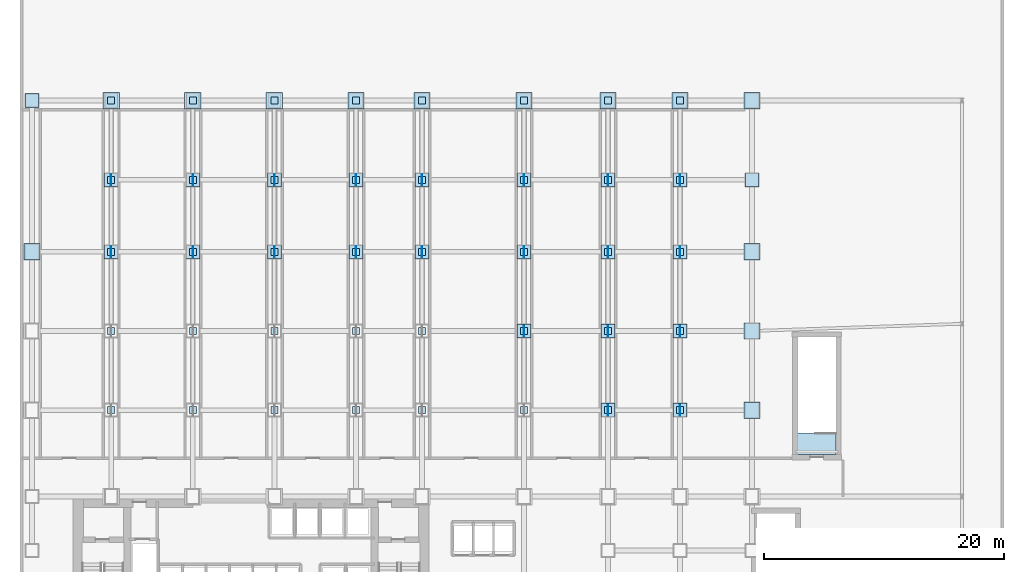
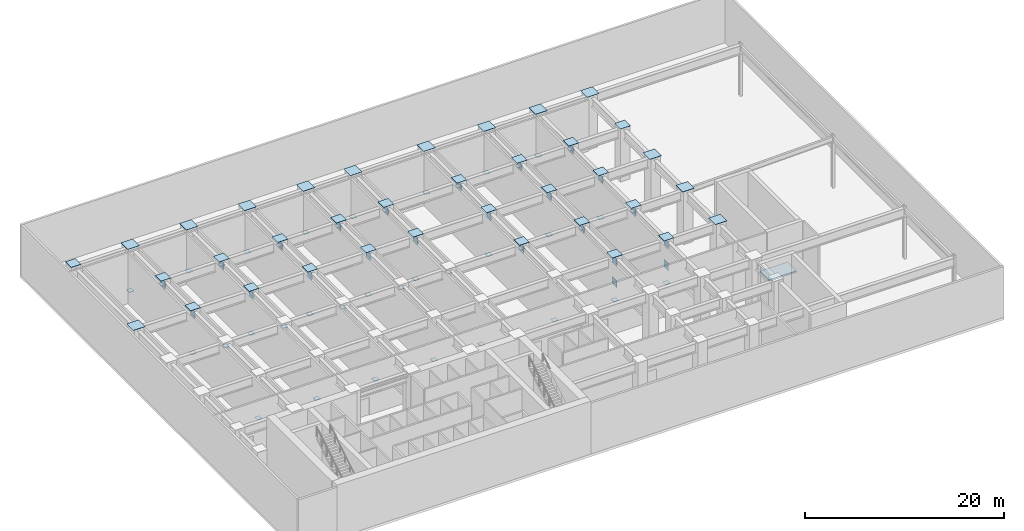
# One storey, part 8 of 15: 99 plates, 1 slab.
"""IFC4 building model written with IfcOpenShell, lengths in metres."""

from ifc_helpers import new_model, si_unit, derived_unit, direction, frame, origin, origin_2d, place, context, subcontext, project, spatial, polyline, rectangle, outline, extrude, source, transform, mapped, material, layer, layer_set, type_object, element, save


model = new_model("IFC4")

# Units and contexts
model_context = context("Model", 3, precision=1e-05, world=origin(), true_north=direction((0.0, 1.0)))
body_context = subcontext(model_context, "Body", "Model", "MODEL_VIEW")
ifc_project = project(units=[si_unit("LENGTHUNIT", "METRE"), si_unit("AREAUNIT", "SQUARE_METRE"), si_unit("VOLUMEUNIT", "CUBIC_METRE"), si_unit("PLANEANGLEUNIT", "RADIAN"), si_unit("MASSUNIT", "GRAM", prefix="KILO"), derived_unit("THERMALTRANSMITTANCEUNIT", [(si_unit("POWERUNIT", "WATT"), 1), (si_unit("LENGTHUNIT", "METRE"), -2), (si_unit("THERMODYNAMICTEMPERATUREUNIT", "KELVIN"), -1)])], contexts=[model_context])

# Site, building, storey
site_placement = place(None, origin())
site = spatial("IfcSite", under=ifc_project, at=site_placement, CompositionType="ELEMENT")
building_placement = place(site_placement, origin())
building = spatial("IfcBuilding", under=site, at=building_placement, Name="Skarnbrae Concourse Arena and Tower", CompositionType="ELEMENT")
storey_placement = place(building_placement, frame((0.0, 0.0, 26.0)))
storey = spatial("IfcBuildingStorey", under=building, at=storey_placement, Name="L05", CompositionType="ELEMENT", Elevation=26.0)

# Slab
ifc_material_1 = material(Name="Concrete 40 MPa (C40/50)", Category="concrete")
ifc_layer_1 = layer(ifc_material_1, 0.199951171875)
ifc_layer_set_1 = layer_set([ifc_layer_1], Name="Concrete 40 MPa (C40/50)")
slab_type = type_object("IfcSlabType", Name="SLAB-LANDING-200", PredefinedType="LANDING", material=ifc_layer_set_1)
slab_placement = place(storey_placement, frame((0.0, 0.0, -0.199951171875)))
element("IfcSlab", 1, at=slab_placement, inside=storey, type_object=slab_type, Name="L05 Stair ST-A2 near floor landing", PredefinedType="LANDING", context=body_context, shape_type="SweptSolid", body=[
    extrude(outline(polyline([(68.0, 17.5), (68.0, 19.300048828125), (64.800048828125, 19.300048828125), (64.800048828125, 17.5), (68.0, 17.5)])), origin(), (0.0, 0.0, 1.0), 0.199951171875),
])

# Plates
ifc_material_2 = material(Name="Steel CSA G40.21 350W", Category="steel")
ifc_layer_2 = layer(ifc_material_2, 0.031982421875)
ifc_layer_set_2 = layer_set([ifc_layer_2], Name="Steel CSA G40.21 350W")
plate_type_1 = type_object("IfcPlateType", Name="PLT-CAP-HOLLOW", PredefinedType="USERDEFINED", material=ifc_layer_set_2)
shared_shape_1 = source(origin(), body_context, "Body", "SweptSolid", [
    extrude(rectangle(XDim=0.580078125, YDim=0.580078125, at=origin_2d()), origin(), (0.0, 0.0, 1.0), 0.031982421875),
])
for number, where, z_axis, x_axis, name in (
    (2, (7.60009765625, 21.199951171875, 0.833984375), (0.0, 0.0, 1.0), (1.0, 0.0, 0.0), "L05 Transfer cap plate 1.2A"),
    (3, (7.60009765625, 27.800048828125, 5.6748046875), (0.0, 0.0, 1.0), (1.0, 0.0, 0.0), "L05 Transfer cap plate 1.2B"),
    (4, (7.60009765625, 34.39990234375, 0.833984375), (0.0, 0.0, 1.0), (1.0, 0.0, 0.0), "L05 Transfer cap plate 1.3B"),
    (5, (7.60009765625, 40.39990234375, 5.6748046875), (0.0, 0.0, 1.0), (1.0, 0.0, 0.0), "L05 Transfer cap plate 1.4B"),
    (6, (7.60009765625, 47.0, 0.833984375), (0.0, 0.0, 1.0), (1.0, 0.0, 0.0), "L05 Transfer cap plate 1.5B"),
    (7, (14.39990234375, 21.199951171875, 0.833984375), (0.0, 0.0, 1.0), (1.0, 0.0, 0.0), "L05 Transfer cap plate 2.2A"),
    (8, (14.39990234375, 27.800048828125, 5.6748046875), (0.0, 0.0, 1.0), (1.0, 0.0, 0.0), "L05 Transfer cap plate 2.2B"),
    (9, (14.39990234375, 34.39990234375, 0.833984375), (0.0, 0.0, 1.0), (1.0, 0.0, 0.0), "L05 Transfer cap plate 2.3B"),
    (10, (14.39990234375, 40.39990234375, 5.6748046875), (0.0, 0.0, 1.0), (1.0, 0.0, 0.0), "L05 Transfer cap plate 2.4B"),
    (11, (14.39990234375, 47.0, 0.833984375), (0.0, 0.0, 1.0), (1.0, 0.0, 0.0), "L05 Transfer cap plate 2.5B"),
    (12, (21.199951171875, 21.199951171875, 0.833984375), (0.0, 0.0, 1.0), (1.0, 0.0, 0.0), "L05 Transfer cap plate 3.2A"),
    (13, (21.199951171875, 27.800048828125, 5.6748046875), (0.0, 0.0, 1.0), (1.0, 0.0, 0.0), "L05 Transfer cap plate 3.2B"),
    (14, (21.199951171875, 34.39990234375, 0.833984375), (0.0, 0.0, 1.0), (1.0, 0.0, 0.0), "L05 Transfer cap plate 3.3B"),
    (15, (21.199951171875, 40.39990234375, 5.6748046875), (0.0, 0.0, 1.0), (1.0, 0.0, 0.0), "L05 Transfer cap plate 3.4B"),
    (16, (21.199951171875, 47.0, 0.833984375), (0.0, 0.0, 1.0), (1.0, 0.0, 0.0), "L05 Transfer cap plate 3.5B"),
    (17, (28.0, 21.199951171875, 0.833984375), (0.0, 0.0, 1.0), (1.0, 0.0, 0.0), "L05 Transfer cap plate 4.2A"),
    (18, (28.0, 27.800048828125, 5.6748046875), (0.0, 0.0, 1.0), (1.0, 0.0, 0.0), "L05 Transfer cap plate 4.2B"),
    (19, (28.0, 34.39990234375, 0.833984375), (0.0, 0.0, 1.0), (1.0, 0.0, 0.0), "L05 Transfer cap plate 4.3B"),
    (20, (28.0, 40.39990234375, 5.6748046875), (0.0, 0.0, 1.0), (1.0, 0.0, 0.0), "L05 Transfer cap plate 4.4B"),
    (21, (28.0, 47.0, 0.833984375), (0.0, 0.0, 1.0), (1.0, 0.0, 0.0), "L05 Transfer cap plate 4.5B"),
    (22, (33.5, 21.199951171875, 0.833984375), (0.0, 0.0, 1.0), (1.0, 0.0, 0.0), "L05 Transfer cap plate 5.2A"),
    (23, (33.5, 27.800048828125, 5.6748046875), (0.0, 0.0, 1.0), (1.0, 0.0, 0.0), "L05 Transfer cap plate 5.2B"),
    (24, (33.5, 34.39990234375, 0.833984375), (0.0, 0.0, 1.0), (1.0, 0.0, 0.0), "L05 Transfer cap plate 5.3B"),
    (25, (33.5, 40.39990234375, 5.6748046875), (0.0, 0.0, 1.0), (1.0, 0.0, 0.0), "L05 Transfer cap plate 5.4B"),
    (26, (33.5, 47.0, 0.833984375), (0.0, 0.0, 1.0), (1.0, 0.0, 0.0), "L05 Transfer cap plate 5.5B"),
    (27, (42.0, 21.199951171875, 0.833984375), (0.0, 0.0, 1.0), (1.0, 0.0, 0.0), "L05 Transfer cap plate 6.2A"),
    (28, (42.0, 27.800048828125, 5.6748046875), (0.0, 0.0, 1.0), (1.0, 0.0, 0.0), "L05 Transfer cap plate 6.2B"),
    (29, (42.0, 34.39990234375, 0.833984375), (0.0, 0.0, 1.0), (1.0, 0.0, 0.0), "L05 Transfer cap plate 6.3B"),
    (30, (42.0, 40.39990234375, 5.6748046875), (0.0, 0.0, 1.0), (1.0, 0.0, 0.0), "L05 Transfer cap plate 6.4B"),
    (31, (42.0, 47.0, 0.833984375), (0.0, 0.0, 1.0), (1.0, 0.0, 0.0), "L05 Transfer cap plate 6.5B"),
    (32, (49.0, 21.199951171875, 0.833984375), (0.0, 0.0, 1.0), (1.0, 0.0, 0.0), "L05 Transfer cap plate 7.2A"),
    (33, (49.0, 27.800048828125, 5.6748046875), (0.0, 0.0, 1.0), (1.0, 0.0, 0.0), "L05 Transfer cap plate 7.2B"),
    (34, (49.0, 34.39990234375, 0.833984375), (0.0, 0.0, 1.0), (1.0, 0.0, 0.0), "L05 Transfer cap plate 7.3B"),
    (35, (49.0, 40.39990234375, 5.6748046875), (0.0, 0.0, 1.0), (1.0, 0.0, 0.0), "L05 Transfer cap plate 7.4B"),
    (36, (49.0, 47.0, 0.833984375), (0.0, 0.0, 1.0), (1.0, 0.0, 0.0), "L05 Transfer cap plate 7.5B"),
    (37, (55.0, 21.199951171875, 0.833984375), (0.0, 0.0, 1.0), (1.0, 0.0, 0.0), "L05 Transfer cap plate 8.2A"),
    (38, (55.0, 27.800048828125, 5.6748046875), (0.0, 0.0, 1.0), (1.0, 0.0, 0.0), "L05 Transfer cap plate 8.2B"),
    (39, (55.0, 34.39990234375, 0.833984375), (0.0, 0.0, 1.0), (1.0, 0.0, 0.0), "L05 Transfer cap plate 8.3B"),
    (40, (55.0, 40.39990234375, 5.6748046875), (0.0, 0.0, 1.0), (1.0, 0.0, 0.0), "L05 Transfer cap plate 8.4B"),
    (41, (55.0, 47.0, 0.833984375), (0.0, 0.0, 1.0), (1.0, 0.0, 0.0), "L05 Transfer cap plate 8.5B"),
):
    element("IfcPlate", number, at=place(storey_placement, frame(where, z_axis=z_axis, x_axis=x_axis)), inside=storey, type_object=plate_type_1, Name=name, ObjectType="CAP PLATE", PredefinedType="USERDEFINED", context=body_context, shape_type="MappedRepresentation", body=[
        mapped(shared_shape_1, transform((0.0, 0.0, 0.0))),
    ])
ifc_layer_3 = layer(ifc_material_2, 0.044921875)
ifc_layer_set_3 = layer_set([ifc_layer_3], Name="Steel CSA G40.21 350W")
plate_type_2 = type_object("IfcPlateType", Name="PLT-NODE-XFER", PredefinedType="USERDEFINED", material=ifc_layer_set_3)
shared_shape_2 = source(origin(), body_context, "Body", "SweptSolid", [
    extrude(rectangle(XDim=0.89990234375, YDim=0.044921875, at=origin_2d()), origin(), (0.0, 0.0, 1.0), 0.89990234375),
])
for number, where, z_axis, x_axis, name in (
    (42, (7.60009765625, 34.39990234375, 5.240966796875), (0.0, 0.0, 1.0), (0.0, 1.0, 0.0), "L05 Transfer truss node plate ND-TR-01 T1.3"),
    (43, (7.60009765625, 40.39990234375, 5.240966796875), (0.0, 0.0, 1.0), (0.0, 1.0, 0.0), "L05 Transfer truss node plate ND-TR-01 T1.4"),
    (44, (14.39990234375, 34.39990234375, 5.240966796875), (0.0, 0.0, 1.0), (0.0, 1.0, 0.0), "L05 Transfer truss node plate ND-TR-01 T2.3"),
    (45, (14.39990234375, 40.39990234375, 5.240966796875), (0.0, 0.0, 1.0), (0.0, 1.0, 0.0), "L05 Transfer truss node plate ND-TR-01 T2.4"),
    (46, (21.199951171875, 34.39990234375, 5.240966796875), (0.0, 0.0, 1.0), (0.0, 1.0, 0.0), "L05 Transfer truss node plate ND-TR-01 T3.3"),
    (47, (21.199951171875, 40.39990234375, 5.240966796875), (0.0, 0.0, 1.0), (0.0, 1.0, 0.0), "L05 Transfer truss node plate ND-TR-01 T3.4"),
    (48, (28.0, 34.39990234375, 5.240966796875), (0.0, 0.0, 1.0), (0.0, 1.0, 0.0), "L05 Transfer truss node plate ND-TR-01 T4.3"),
    (49, (28.0, 40.39990234375, 5.240966796875), (0.0, 0.0, 1.0), (0.0, 1.0, 0.0), "L05 Transfer truss node plate ND-TR-01 T4.4"),
    (50, (33.5, 34.39990234375, 5.240966796875), (0.0, 0.0, 1.0), (0.0, 1.0, 0.0), "L05 Transfer truss node plate ND-TR-01 T5.3"),
    (51, (33.5, 40.39990234375, 5.240966796875), (0.0, 0.0, 1.0), (0.0, 1.0, 0.0), "L05 Transfer truss node plate ND-TR-01 T5.4"),
    (52, (42.0, 27.800048828125, 5.240966796875), (0.0, 0.0, 1.0), (0.0, 1.0, 0.0), "L05 Transfer truss node plate ND-TR-01 T6.2"),
    (53, (42.0, 34.39990234375, 5.240966796875), (0.0, 0.0, 1.0), (0.0, 1.0, 0.0), "L05 Transfer truss node plate ND-TR-01 T6.3"),
    (54, (42.0, 40.39990234375, 5.240966796875), (0.0, 0.0, 1.0), (0.0, 1.0, 0.0), "L05 Transfer truss node plate ND-TR-01 T6.4"),
    (55, (49.0, 21.199951171875, 5.240966796875), (0.0, 0.0, 1.0), (0.0, 1.0, 0.0), "L05 Transfer truss node plate ND-TR-01 T7.1"),
    (56, (49.0, 27.800048828125, 5.240966796875), (0.0, 0.0, 1.0), (0.0, 1.0, 0.0), "L05 Transfer truss node plate ND-TR-01 T7.2"),
    (57, (49.0, 34.39990234375, 5.240966796875), (0.0, 0.0, 1.0), (0.0, 1.0, 0.0), "L05 Transfer truss node plate ND-TR-01 T7.3"),
    (58, (49.0, 40.39990234375, 5.240966796875), (0.0, 0.0, 1.0), (0.0, 1.0, 0.0), "L05 Transfer truss node plate ND-TR-01 T7.4"),
    (59, (49.0, 21.199951171875, 2.570068359375), (0.0, 0.0, 1.0), (0.0, 1.0, 0.0), "L05 Transfer truss Vierendeel portal node plate ND-TR-01 T7"),
    (60, (55.0, 21.199951171875, 5.240966796875), (0.0, 0.0, 1.0), (0.0, 1.0, 0.0), "L05 Transfer truss node plate ND-TR-01 T8.1"),
    (61, (55.0, 27.800048828125, 5.240966796875), (0.0, 0.0, 1.0), (0.0, 1.0, 0.0), "L05 Transfer truss node plate ND-TR-01 T8.2"),
    (62, (55.0, 34.39990234375, 5.240966796875), (0.0, 0.0, 1.0), (0.0, 1.0, 0.0), "L05 Transfer truss node plate ND-TR-01 T8.3"),
    (63, (55.0, 40.39990234375, 5.240966796875), (0.0, 0.0, 1.0), (0.0, 1.0, 0.0), "L05 Transfer truss node plate ND-TR-01 T8.4"),
    (64, (55.0, 21.199951171875, 2.570068359375), (0.0, 0.0, 1.0), (0.0, 1.0, 0.0), "L05 Transfer truss Vierendeel portal node plate ND-TR-01 T8"),
):
    element("IfcPlate", number, at=place(storey_placement, frame(where, z_axis=z_axis, x_axis=x_axis)), inside=storey, type_object=plate_type_2, Name=name, ObjectType="GUSSET PLATE", PredefinedType="USERDEFINED", context=body_context, shape_type="MappedRepresentation", body=[
        mapped(shared_shape_2, transform((0.0, 0.0, 0.0))),
    ])
ifc_layer_4 = layer(ifc_material_2, 0.031982421875)
ifc_layer_set_4 = layer_set([ifc_layer_4], Name="Steel CSA G40.21 350W")
plate_type_3 = type_object("IfcPlateType", Name="PLT-CAP-BOX1100", PredefinedType="USERDEFINED", material=ifc_layer_set_4)
shared_shape_3 = source(origin(), body_context, "Body", "SweptSolid", [
    extrude(rectangle(XDim=1.159912109375, YDim=1.159912109375, at=origin_2d()), origin(), (0.0, 0.0, 1.0), 0.031982421875),
])
for number, where, z_axis, x_axis, name in (
    (65, (1.0, 47.0, 6.4990234375), (0.0, 0.0, 1.0), (1.0, 0.0, 0.0), "L05 Hollow column top cap plate 006"),
    (66, (61.0, 40.39990234375, 6.4990234375), (0.0, 0.0, 1.0), (1.0, 0.0, 0.0), "L05 Hollow column top cap plate 029"),
    (67, (7.60009765625, 34.39990234375, 6.4990234375), (0.0, 0.0, 1.0), (1.0, 0.0, 0.0), "L05 Hollow column top cap plate 037"),
    (68, (7.60009765625, 40.39990234375, 6.4990234375), (0.0, 0.0, 1.0), (1.0, 0.0, 0.0), "L05 Hollow column top cap plate 038"),
    (69, (14.39990234375, 34.39990234375, 6.4990234375), (0.0, 0.0, 1.0), (1.0, 0.0, 0.0), "L05 Hollow column top cap plate 041"),
    (70, (14.39990234375, 40.39990234375, 6.4990234375), (0.0, 0.0, 1.0), (1.0, 0.0, 0.0), "L05 Hollow column top cap plate 042"),
    (71, (21.199951171875, 34.39990234375, 6.4990234375), (0.0, 0.0, 1.0), (1.0, 0.0, 0.0), "L05 Hollow column top cap plate 045"),
    (72, (21.199951171875, 40.39990234375, 6.4990234375), (0.0, 0.0, 1.0), (1.0, 0.0, 0.0), "L05 Hollow column top cap plate 046"),
    (73, (28.0, 34.39990234375, 6.4990234375), (0.0, 0.0, 1.0), (1.0, 0.0, 0.0), "L05 Hollow column top cap plate 049"),
    (74, (28.0, 40.39990234375, 6.4990234375), (0.0, 0.0, 1.0), (1.0, 0.0, 0.0), "L05 Hollow column top cap plate 050"),
    (75, (33.5, 34.39990234375, 6.4990234375), (0.0, 0.0, 1.0), (1.0, 0.0, 0.0), "L05 Hollow column top cap plate 053"),
    (76, (33.5, 40.39990234375, 6.4990234375), (0.0, 0.0, 1.0), (1.0, 0.0, 0.0), "L05 Hollow column top cap plate 054"),
    (77, (42.0, 27.800048828125, 6.4990234375), (0.0, 0.0, 1.0), (1.0, 0.0, 0.0), "L05 Hollow column top cap plate 056"),
    (78, (42.0, 34.39990234375, 6.4990234375), (0.0, 0.0, 1.0), (1.0, 0.0, 0.0), "L05 Hollow column top cap plate 057"),
    (79, (42.0, 40.39990234375, 6.4990234375), (0.0, 0.0, 1.0), (1.0, 0.0, 0.0), "L05 Hollow column top cap plate 058"),
    (80, (49.0, 21.199951171875, 6.4990234375), (0.0, 0.0, 1.0), (1.0, 0.0, 0.0), "L05 Hollow column top cap plate 059"),
    (81, (49.0, 27.800048828125, 6.4990234375), (0.0, 0.0, 1.0), (1.0, 0.0, 0.0), "L05 Hollow column top cap plate 060"),
    (82, (49.0, 34.39990234375, 6.4990234375), (0.0, 0.0, 1.0), (1.0, 0.0, 0.0), "L05 Hollow column top cap plate 061"),
    (83, (49.0, 40.39990234375, 6.4990234375), (0.0, 0.0, 1.0), (1.0, 0.0, 0.0), "L05 Hollow column top cap plate 062"),
    (84, (55.0, 21.199951171875, 6.4990234375), (0.0, 0.0, 1.0), (1.0, 0.0, 0.0), "L05 Hollow column top cap plate 063"),
    (85, (55.0, 27.800048828125, 6.4990234375), (0.0, 0.0, 1.0), (1.0, 0.0, 0.0), "L05 Hollow column top cap plate 064"),
    (86, (55.0, 34.39990234375, 6.4990234375), (0.0, 0.0, 1.0), (1.0, 0.0, 0.0), "L05 Hollow column top cap plate 065"),
    (87, (55.0, 40.39990234375, 6.4990234375), (0.0, 0.0, 1.0), (1.0, 0.0, 0.0), "L05 Hollow column top cap plate 066"),
):
    element("IfcPlate", number, at=place(storey_placement, frame(where, z_axis=z_axis, x_axis=x_axis)), inside=storey, type_object=plate_type_3, Name=name, ObjectType="CAP PLATE", PredefinedType="USERDEFINED", context=body_context, shape_type="MappedRepresentation", body=[
        mapped(shared_shape_3, transform((0.0, 0.0, 0.0))),
    ])
ifc_layer_5 = layer(ifc_material_2, 0.031982421875)
ifc_layer_set_5 = layer_set([ifc_layer_5], Name="Steel CSA G40.21 350W")
plate_type_4 = type_object("IfcPlateType", Name="PLT-CAP-BOX1300", PredefinedType="USERDEFINED", material=ifc_layer_set_5)
shared_shape_4 = source(origin(), body_context, "Body", "SweptSolid", [
    extrude(rectangle(XDim=1.360107421875, YDim=1.360107421875, at=origin_2d()), origin(), (0.0, 0.0, 1.0), 0.031982421875),
])
for number, where, z_axis, x_axis, name in (
    (88, (1.0, 34.39990234375, 6.4990234375), (0.0, 0.0, 1.0), (1.0, 0.0, 0.0), "L05 Hollow column top cap plate 005"),
    (89, (7.60009765625, 47.0, 6.4990234375), (0.0, 0.0, 1.0), (1.0, 0.0, 0.0), "L05 Hollow column top cap plate 016"),
    (90, (14.39990234375, 47.0, 6.4990234375), (0.0, 0.0, 1.0), (1.0, 0.0, 0.0), "L05 Hollow column top cap plate 017"),
    (91, (21.199951171875, 47.0, 6.4990234375), (0.0, 0.0, 1.0), (1.0, 0.0, 0.0), "L05 Hollow column top cap plate 018"),
    (92, (28.0, 47.0, 6.4990234375), (0.0, 0.0, 1.0), (1.0, 0.0, 0.0), "L05 Hollow column top cap plate 019"),
    (93, (33.5, 47.0, 6.4990234375), (0.0, 0.0, 1.0), (1.0, 0.0, 0.0), "L05 Hollow column top cap plate 020"),
    (94, (42.0, 47.0, 6.4990234375), (0.0, 0.0, 1.0), (1.0, 0.0, 0.0), "L05 Hollow column top cap plate 021"),
    (95, (49.0, 47.0, 6.4990234375), (0.0, 0.0, 1.0), (1.0, 0.0, 0.0), "L05 Hollow column top cap plate 022"),
    (96, (55.0, 47.0, 6.4990234375), (0.0, 0.0, 1.0), (1.0, 0.0, 0.0), "L05 Hollow column top cap plate 023"),
    (97, (61.0, 47.0, 6.4990234375), (0.0, 0.0, 1.0), (1.0, 0.0, 0.0), "L05 Hollow column top cap plate 024"),
    (98, (61.0, 21.199951171875, 6.4990234375), (0.0, 0.0, 1.0), (1.0, 0.0, 0.0), "L05 Hollow column top cap plate 026"),
    (99, (61.0, 27.800048828125, 6.4990234375), (0.0, 0.0, 1.0), (1.0, 0.0, 0.0), "L05 Hollow column top cap plate 027"),
    (100, (61.0, 34.39990234375, 6.4990234375), (0.0, 0.0, 1.0), (1.0, 0.0, 0.0), "L05 Hollow column top cap plate 028"),
):
    element("IfcPlate", number, at=place(storey_placement, frame(where, z_axis=z_axis, x_axis=x_axis)), inside=storey, type_object=plate_type_4, Name=name, ObjectType="CAP PLATE", PredefinedType="USERDEFINED", context=body_context, shape_type="MappedRepresentation", body=[
        mapped(shared_shape_4, transform((0.0, 0.0, 0.0))),
    ])

save(model, "model.ifc")
